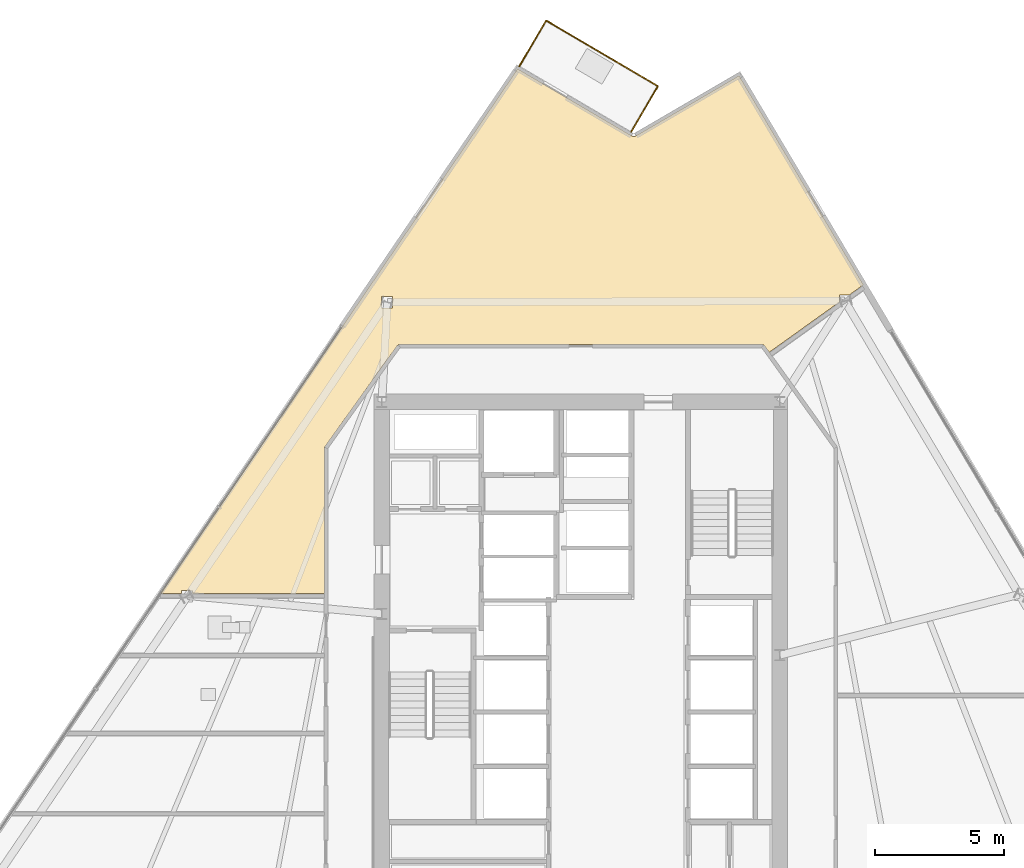
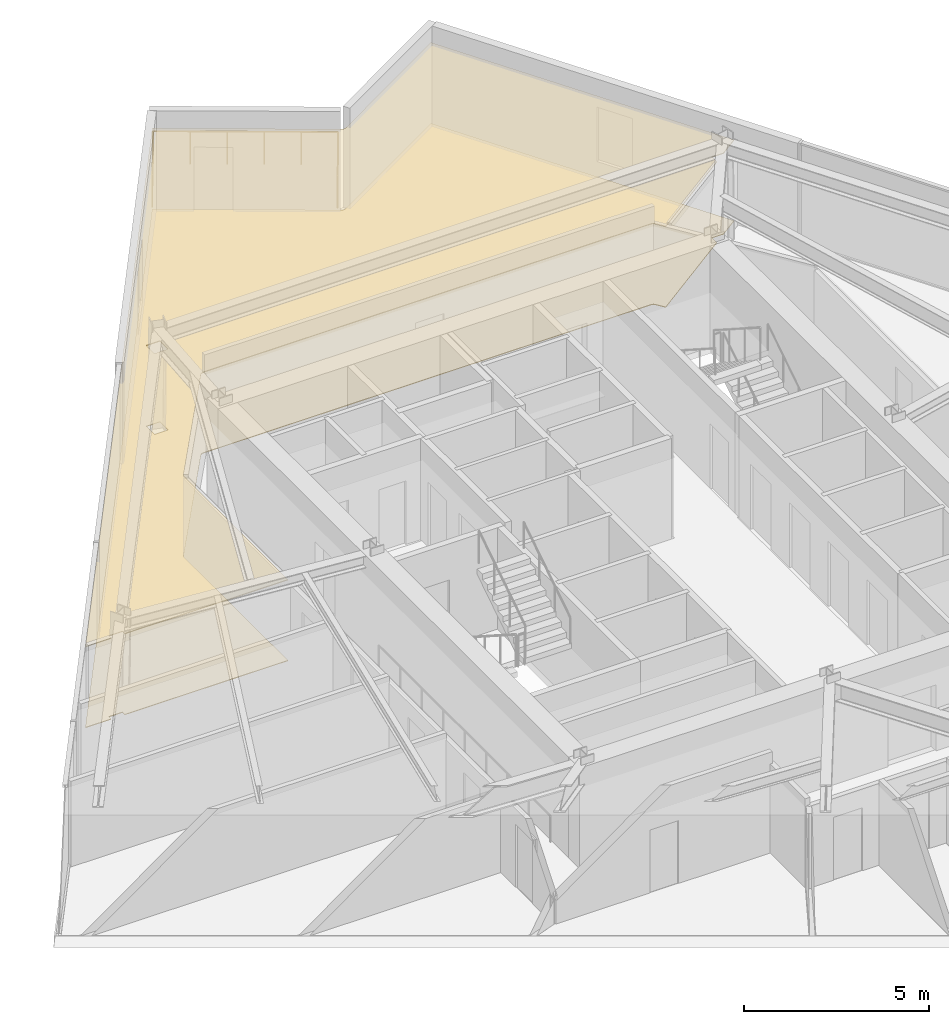
# One storey, part 14 of 15: 3 railings, 2 coverings.
"""IFC4 building model written with IfcOpenShell, lengths in metres."""

from ifc_helpers import new_model, si_unit, direction, frame, origin, origin_2d, place, context, subcontext, project, spatial, polyline, circle, outline, extrude, material, layer, layer_set, type_object, element, save


model = new_model("IFC4")

# Units and contexts
model_context = context("Model", 3, precision=1e-05, world=origin(), true_north=direction((0.0, 1.0)))
body_context = subcontext(model_context, "Body", "Model", "MODEL_VIEW")
ifc_project = project(units=[si_unit("LENGTHUNIT", "METRE"), si_unit("AREAUNIT", "SQUARE_METRE"), si_unit("VOLUMEUNIT", "CUBIC_METRE"), si_unit("PLANEANGLEUNIT", "RADIAN"), si_unit("MASSUNIT", "GRAM", prefix="KILO")], contexts=[model_context])

# Site, building, storey
site_placement = place(None, origin())
site = spatial("IfcSite", under=ifc_project, at=site_placement, CompositionType="ELEMENT")
building_placement = place(site_placement, origin())
building = spatial("IfcBuilding", under=site, at=building_placement, Name="Savorim Split Tower", CompositionType="ELEMENT")
storey_placement = place(building_placement, frame((0.0, 0.0, 82.5)))
storey = spatial("IfcBuildingStorey", under=building, at=storey_placement, Name="L21", CompositionType="ELEMENT", Elevation=82.5)

# Coverings
ifc_material_1 = material(Name="Mineral Fibre Acoustic Ceiling")
ifc_layer_1 = layer(ifc_material_1, 0.02490234375)
ifc_layer_set_1 = layer_set([ifc_layer_1], Name="COV-CEIL-25")
covering_type_1 = type_object("IfcCoveringType", Name="COV-CEIL-25", PredefinedType="CEILING", material=ifc_layer_set_1)
covering_1_placement = place(storey_placement, frame((0.0, 0.0, 2.669921875)))
element("IfcCovering", 1, at=covering_1_placement, inside=storey, type_object=covering_type_1, Name="L21 Maker Workshop Acoustic Ceiling", PredefinedType="CEILING", context=body_context, shape_type="SweptSolid", body=[
    extrude(outline(polyline([(2.0068359375, 20.472412109375), (1.99609375, 20.476806640625), (1.986083984375, 20.482177734375), (-2.447265625, 23.087646484375), (-16.26123046875, 2.78125), (-15.452392578125, 2.78125), (-15.452392578125, 2.90869140625), (-15.0234375, 2.90869140625), (-15.0234375, 2.78125), (-9.919921875, 2.78125), (-9.919921875, 8.39990234375), (-9.919189453125, 8.41455078125), (-9.9169921875, 8.4287109375), (-9.913330078125, 8.44287109375), (-9.908203125, 8.456298828125), (-9.901611328125, 8.46923828125), (-9.893798828125, 8.4814453125), (-7.11376953125, 12.361572265625), (-7.105712890625, 12.3720703125), (-7.096435546875, 12.381591796875), (-7.086181640625, 12.39013671875), (-7.075439453125, 12.39794921875), (-7.06396484375, 12.404541015625), (-7.052001953125, 12.409912109375), (-7.039306640625, 12.414306640625), (-7.0263671875, 12.41748046875), (-7.01318359375, 12.41943359375), (-7.0, 12.419921875), (7.0, 12.419921875), (7.01318359375, 12.41943359375), (7.0263671875, 12.41748046875), (7.039306640625, 12.414306640625), (7.052001953125, 12.409912109375), (7.06396484375, 12.404541015625), (7.075439453125, 12.39794921875), (7.086181640625, 12.39013671875), (7.096435546875, 12.381591796875), (7.105712890625, 12.3720703125), (7.11376953125, 12.361572265625), (7.28857421875, 12.11767578125), (10.015625, 14.071533203125), (10.015625, 14.330810546875), (10.377685546875, 14.330810546875), (10.88525390625, 14.694580078125), (10.9326171875, 14.728515625), (6.120849609375, 22.821044921875), (2.107177734375, 20.48193359375), (2.096923828125, 20.4765625), (2.086181640625, 20.472412109375), (2.0751953125, 20.468994140625), (2.06396484375, 20.466796875), (2.052490234375, 20.4658203125), (2.040771484375, 20.4658203125), (2.029296875, 20.466796875), (2.01806640625, 20.468994140625), (2.0068359375, 20.472412109375)]), holes=[polyline([(-7.286376953125, 14.281982421875), (-7.71533203125, 14.281982421875), (-7.71533203125, 13.837158203125), (-7.286376953125, 13.837158203125), (-7.286376953125, 14.281982421875)])]), origin(), (0.0, 0.0, 1.0), 0.025146484375),
])
ifc_material_2 = material(Name="Porcelain Stoneware Flooring", Category="masonry")
ifc_layer_2 = layer(ifc_material_2, 0.02001953125)
ifc_layer_set_2 = layer_set([ifc_layer_2], Name="COV-FLOR-20")
covering_type_2 = type_object("IfcCoveringType", Name="COV-FLOR-20", PredefinedType="FLOORING", material=ifc_layer_set_2)
covering_2_placement = place(storey_placement, origin())
element("IfcCovering", 2, at=covering_2_placement, inside=storey, type_object=covering_type_2, Name="L21 Maker Workshop Porcelain Flooring", PredefinedType="FLOORING", context=body_context, shape_type="SweptSolid", body=[
    extrude(outline(polyline([(2.0068359375, 20.472412109375), (1.99609375, 20.476806640625), (1.986083984375, 20.482177734375), (-2.447265625, 23.087646484375), (-16.26123046875, 2.78125), (-15.452392578125, 2.78125), (-15.452392578125, 2.90869140625), (-15.0234375, 2.90869140625), (-15.0234375, 2.78125), (-9.919921875, 2.78125), (-9.919921875, 8.39990234375), (-9.919189453125, 8.41455078125), (-9.9169921875, 8.4287109375), (-9.913330078125, 8.44287109375), (-9.908203125, 8.456298828125), (-9.901611328125, 8.46923828125), (-9.893798828125, 8.4814453125), (-7.11376953125, 12.361572265625), (-7.105712890625, 12.3720703125), (-7.096435546875, 12.381591796875), (-7.086181640625, 12.39013671875), (-7.075439453125, 12.39794921875), (-7.06396484375, 12.404541015625), (-7.052001953125, 12.409912109375), (-7.039306640625, 12.414306640625), (-7.0263671875, 12.41748046875), (-7.01318359375, 12.41943359375), (-7.0, 12.419921875), (7.0, 12.419921875), (7.01318359375, 12.41943359375), (7.0263671875, 12.41748046875), (7.039306640625, 12.414306640625), (7.052001953125, 12.409912109375), (7.06396484375, 12.404541015625), (7.075439453125, 12.39794921875), (7.086181640625, 12.39013671875), (7.096435546875, 12.381591796875), (7.105712890625, 12.3720703125), (7.11376953125, 12.361572265625), (7.28857421875, 12.11767578125), (10.015625, 14.071533203125), (10.015625, 14.330810546875), (10.377685546875, 14.330810546875), (10.88525390625, 14.694580078125), (10.9326171875, 14.728515625), (6.120849609375, 22.821044921875), (2.107177734375, 20.48193359375), (2.096923828125, 20.4765625), (2.086181640625, 20.472412109375), (2.0751953125, 20.468994140625), (2.06396484375, 20.466796875), (2.052490234375, 20.4658203125), (2.040771484375, 20.4658203125), (2.029296875, 20.466796875), (2.01806640625, 20.468994140625), (2.0068359375, 20.472412109375)]), holes=[polyline([(-7.286376953125, 14.281982421875), (-7.71533203125, 14.281982421875), (-7.71533203125, 13.837158203125), (-7.286376953125, 13.837158203125), (-7.286376953125, 14.281982421875)])]), origin(), (0.0, 0.0, 1.0), 0.02001953125),
])

# Railings
ifc_material_3 = material(Name="Galvanised Painted Steel Balustrade", Category="steel")
railing_type = type_object("IfcRailingType", Name="RLG-BAL-1100", PredefinedType="BALUSTRADE", material=ifc_material_3)
railing_1_placement = place(storey_placement, frame((-2.3798828125, 23.187255859375, 0.0)))
element("IfcRailing", 3, at=railing_1_placement, inside=storey, type_object=railing_type, Name="L21 Tree Balcony Guardrail N-1", PredefinedType="BALUSTRADE", context=body_context, shape_type="SweptSolid", body=[
    extrude(circle(Radius=0.02392578125, at=origin_2d()), frame((0.0, 0.0, 1.076171875), z_axis=(0.506733850669, 0.862102548764, 0.0), x_axis=(-0.862102548764, 0.506733850669, 0.0)), (0.0, 0.0, 1.0), 2.050048828125),
    extrude(circle(Radius=0.02099609375, at=origin_2d()), origin(), (0.0, 0.0, 1.0), 1.052001953125),
    extrude(circle(Radius=0.02099609375, at=origin_2d()), frame((0.51953125, 0.8837890625, 0.0)), (0.0, 0.0, 1.0), 1.052001953125),
    extrude(circle(Radius=0.02099609375, at=origin_2d()), frame((1.038818359375, 1.767333984375, 0.0)), (0.0, 0.0, 1.0), 1.052001953125),
])
railing_2_placement = place(storey_placement, frame((-1.341064453125, 24.95458984375, 0.0)))
element("IfcRailing", 4, at=railing_2_placement, inside=storey, type_object=railing_type, Name="L21 Tree Balcony Guardrail N-2", PredefinedType="BALUSTRADE", context=body_context, shape_type="SweptSolid", body=[
    extrude(circle(Radius=0.02392578125, at=origin_2d()), frame((0.0, 0.0, 1.076171875), z_axis=(0.862123150864, -0.506698798839, 0.0), x_axis=(0.506698798839, 0.862123150864, 0.0)), (0.0, 0.0, 1.0), 5.014404296875),
    extrude(circle(Radius=0.02099609375, at=origin_2d()), origin(), (0.0, 0.0, 1.0), 1.052001953125),
    extrude(circle(Radius=0.02099609375, at=origin_2d()), frame((0.864501953125, -0.508056640625, 0.0)), (0.0, 0.0, 1.0), 1.052001953125),
    extrude(circle(Radius=0.02099609375, at=origin_2d()), frame((1.729248046875, -1.016357421875, 0.0)), (0.0, 0.0, 1.0), 1.052001953125),
    extrude(circle(Radius=0.02099609375, at=origin_2d()), frame((2.59375, -1.5244140625, 0.0)), (0.0, 0.0, 1.0), 1.052001953125),
    extrude(circle(Radius=0.02099609375, at=origin_2d()), frame((3.45849609375, -2.03271484375, 0.0)), (0.0, 0.0, 1.0), 1.052001953125),
    extrude(circle(Radius=0.02099609375, at=origin_2d()), frame((4.322998046875, -2.540771484375, 0.0)), (0.0, 0.0, 1.0), 1.052001953125),
])
railing_3_placement = place(storey_placement, frame((2.98193359375, 22.413818359375, 0.0)))
element("IfcRailing", 5, at=railing_3_placement, inside=storey, type_object=railing_type, Name="L21 Tree Balcony Guardrail N-3", PredefinedType="BALUSTRADE", context=body_context, shape_type="SweptSolid", body=[
    extrude(circle(Radius=0.02392578125, at=origin_2d()), frame((0.0, 0.0, 1.076171875), z_axis=(-0.50664533146, -0.862154573211, 0.0), x_axis=(0.862154573211, -0.50664533146, 0.0)), (0.0, 0.0, 1.0), 2.0498046875),
    extrude(circle(Radius=0.02099609375, at=origin_2d()), origin(), (0.0, 0.0, 1.0), 1.052001953125),
    extrude(circle(Radius=0.02099609375, at=origin_2d()), frame((-0.519287109375, -0.8837890625, 0.0)), (0.0, 0.0, 1.0), 1.052001953125),
    extrude(circle(Radius=0.02099609375, at=origin_2d()), frame((-1.03857421875, -1.767333984375, 0.0)), (0.0, 0.0, 1.0), 1.052001953125),
])

save(model, "model.ifc")
